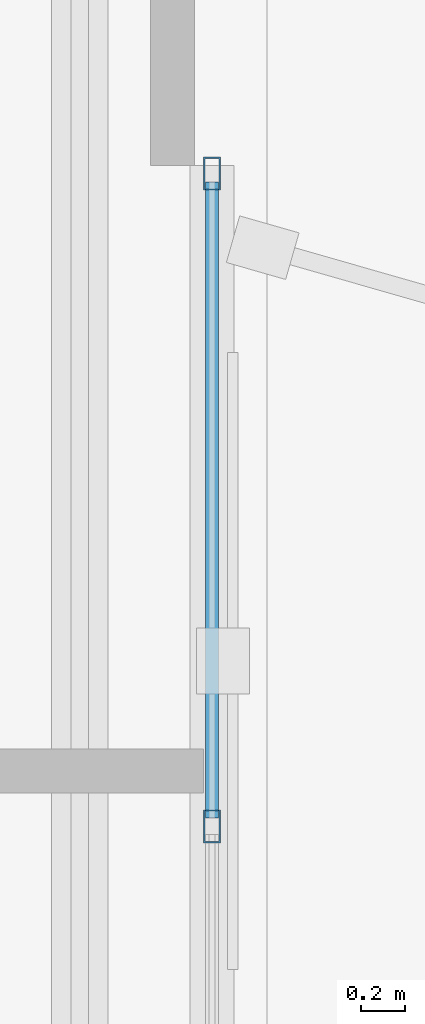
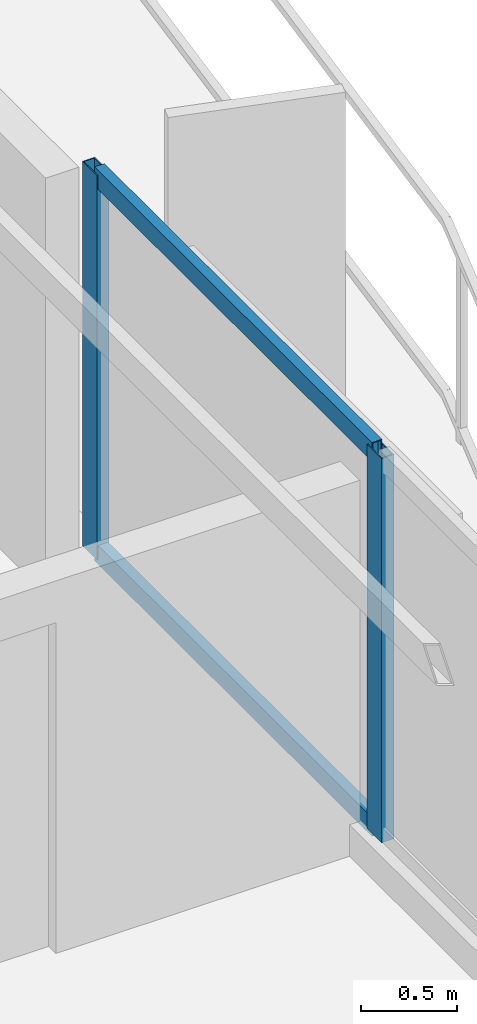
# One storey, part 13 of 21: 4 members, 1 element without a shape of its own.
"""IFC4 building model written with IfcOpenShell, lengths in metres."""

from ifc_helpers import new_model, si_unit, direction, frame, origin, origin_2d, place, context, subcontext, project, spatial, hollow_rectangle, extrude, material, layer, layer_set, material_profile, profile_set, type_object, element, aggregate, save


model = new_model("IFC4")

# Units and contexts
model_context = context("Model", 3, precision=1e-05, world=origin(), true_north=direction((0.0, 1.0)))
body_context = subcontext(model_context, "Body", "Model", "MODEL_VIEW")
ifc_project = project(units=[si_unit("LENGTHUNIT", "METRE"), si_unit("AREAUNIT", "SQUARE_METRE"), si_unit("VOLUMEUNIT", "CUBIC_METRE"), si_unit("PLANEANGLEUNIT", "RADIAN"), si_unit("MASSUNIT", "GRAM", prefix="KILO")], contexts=[model_context])

# Site, building, storey
site_placement = place(None, origin())
site = spatial("IfcSite", under=ifc_project, at=site_placement, CompositionType="ELEMENT")
building_placement = place(site_placement, origin())
building = spatial("IfcBuilding", under=site, at=building_placement, Name="Mersakhor Tower and Convention Hall", CompositionType="ELEMENT")
storey_placement = place(building_placement, frame((0.0, 0.0, 215.10009765625)))
storey = spatial("IfcBuildingStorey", under=building, at=storey_placement, Name="L60", CompositionType="ELEMENT", Elevation=215.10009765625)

# Curtain wall, members
ifc_material_1 = material(Name="Dark solar low-E aluminium curtain wall", Category="aluminium")
ifc_layer = layer(ifc_material_1, 0.169921875)
ifc_layer_set = layer_set([ifc_layer], Name="Dark solar low-E aluminium curtain wall")
curtain_wall_type = type_object("IfcCurtainWallType", Name="CW-SYS-02", PredefinedType="USERDEFINED", material=ifc_layer_set)
curtain_wall_placement = place(storey_placement, origin())
curtain_wall = element("IfcCurtainWall", 1, at=curtain_wall_placement, inside=storey, type_object=curtain_wall_type, Name="L60 Dark-Glass Curtain Wall F2-B2", ObjectType="CURTAIN WALL", PredefinedType="USERDEFINED")
ifc_material_2 = material(Name="Anodised aluminium EN AW-6063 T6", Category="aluminium")
ifc_material_profile_1 = material_profile(ifc_material_2, hollow_rectangle(XDim=0.074951171875, YDim=0.14990234375, WallThickness=0.00634765625, at=origin_2d()), Name="RHS 150x75x6.3")
ifc_profile_set_1 = profile_set([ifc_material_profile_1], Name="Anodised aluminium EN AW-6063 T6")
member_type_1 = type_object("IfcMemberType", Name="CWM-150x75", PredefinedType="MULLION", material=ifc_profile_set_1)
member_1_placement = place(storey_placement, frame((40.58837890625, 31.2119140625, 0.199951171875), z_axis=(0.0, 0.0, 1.0), x_axis=(1.0, 0.0, 0.0)))
member_1 = element("IfcMember", 2, at=member_1_placement, type_object=member_type_1, Name="CW-02 mullion 1", PredefinedType="MULLION", context=body_context, shape_type="SweptSolid", body=[
    extrude(hollow_rectangle(XDim=0.074951171875, YDim=0.14990234375, WallThickness=0.00634765625, at=origin_2d()), origin(), (0.0, 0.0, 1.0), 2.43994140625),
])
member_2_placement = place(storey_placement, frame((40.58837890625, 28.249755859375, 0.199951171875), z_axis=(0.0, 0.0, 1.0), x_axis=(1.0, 0.0, 0.0)))
member_2 = element("IfcMember", 3, at=member_2_placement, type_object=member_type_1, Name="CW-02 mullion 2", PredefinedType="MULLION", context=body_context, shape_type="SweptSolid", body=[
    extrude(hollow_rectangle(XDim=0.074951171875, YDim=0.14990234375, WallThickness=0.00634765625, at=origin_2d()), origin(), (0.0, 0.0, 1.0), 2.43994140625),
])
ifc_material_3 = material(Name="Anodised aluminium EN AW-6063 T6", Category="aluminium")
ifc_material_profile_2 = material_profile(ifc_material_3, hollow_rectangle(XDim=0.06005859375, YDim=0.1201171875, WallThickness=0.0048828125, at=origin_2d()), Name="RHS 120x60x5")
ifc_profile_set_2 = profile_set([ifc_material_profile_2], Name="Anodised aluminium EN AW-6063 T6")
member_type_2 = type_object("IfcMemberType", Name="CWT-120x60", PredefinedType="USERDEFINED", material=ifc_profile_set_2)
member_3_placement = place(storey_placement, frame((40.58837890625, 31.174560546875, 0.22998046875), z_axis=(0.0, -1.0, 0.0), x_axis=(1.0, 0.0, 0.0)))
member_3 = element("IfcMember", 4, at=member_3_placement, type_object=member_type_2, Name="CW-02 transom 1.1", ObjectType="TRANSOM", PredefinedType="USERDEFINED", context=body_context, shape_type="SweptSolid", body=[
    extrude(hollow_rectangle(XDim=0.06005859375, YDim=0.1201171875, WallThickness=0.0048828125, at=origin_2d()), origin(), (0.0, 0.0, 1.0), 2.88720703125),
])
member_4_placement = place(storey_placement, frame((40.58837890625, 31.174560546875, 2.60986328125), z_axis=(0.0, -1.0, 0.0), x_axis=(1.0, 0.0, 0.0)))
member_4 = element("IfcMember", 5, at=member_4_placement, type_object=member_type_2, Name="CW-02 transom 1.2", ObjectType="TRANSOM", PredefinedType="USERDEFINED", context=body_context, shape_type="SweptSolid", body=[
    extrude(hollow_rectangle(XDim=0.06005859375, YDim=0.1201171875, WallThickness=0.0048828125, at=origin_2d()), origin(), (0.0, 0.0, 1.0), 2.88720703125),
])
aggregate(curtain_wall, [member_1, member_2, member_3, member_4])

save(model, "model.ifc")
